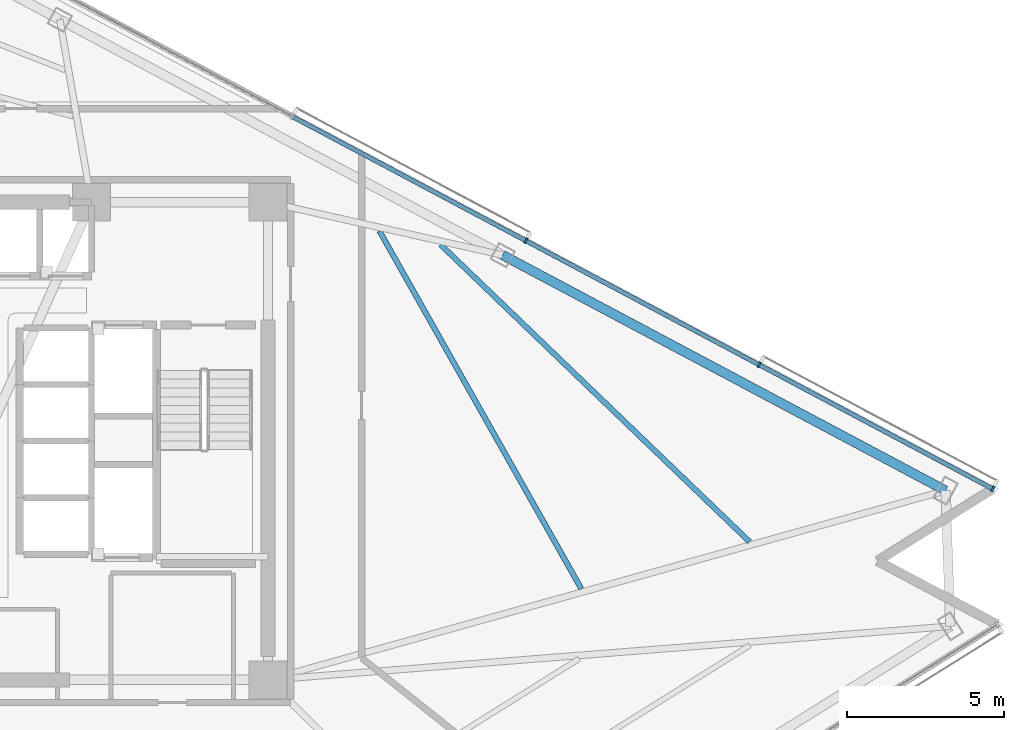
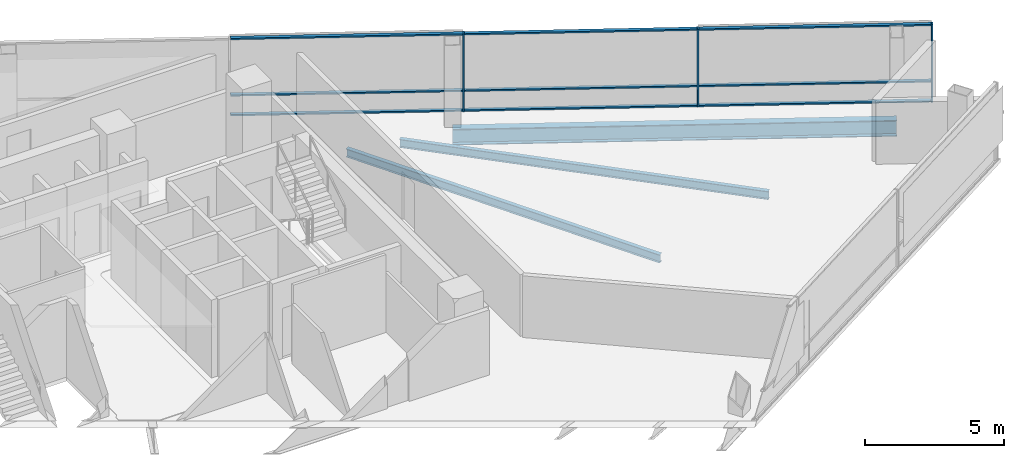
# One storey, part 10 of 18: 12 members, 3 beams, 1 element without a shape of its own.
"""IFC4 building model written with IfcOpenShell, lengths in metres."""

import ifcopenshell
import ifcopenshell.guid

model = None  # the IFC model being written
_history = None  # IfcOwnerHistory: only IFC2X3 demands one
_inside = {}  # id of a spatial element -> (the spatial element, [elements in it])
_under = {}  # id of a project, library or spatial element -> (it, [spatial elements below it])
_declared = {}  # id of a project -> (the project, [libraries it declares])
_typed = {}  # id of a type object -> (the type object, [elements of that type])
_made_of = {}  # id of a material, layer set ... -> (it, [elements and type objects made of it])


def new_model(schema):
    """Start an empty IFC model of exactly this schema.

    Asked for "IFC4X3", IfcOpenShell would pick the latest addendum, in which some entities
    have other attributes; the version numbers below select the first issue.
    IFC2X3 requires an IfcOwnerHistory on every rooted entity: one is made here for all.
    """
    global model, _history
    if schema == "IFC4X3":
        model = ifcopenshell.file(schema_version=(4, 3, 0, 0))
    else:
        model = ifcopenshell.file(schema=schema)
    _inside.clear()
    _under.clear()
    _declared.clear()
    _typed.clear()
    _made_of.clear()
    _history = None
    if model.schema == "IFC2X3":
        org = make("IfcOrganization", Name="unknown")
        user = make(
            "IfcPersonAndOrganization",
            ThePerson=make("IfcPerson", FamilyName="unknown"),
            TheOrganization=org,
        )
        app = make(
            "IfcApplication",
            ApplicationDeveloper=org,
            Version="unknown",
            ApplicationFullName="unknown",
            ApplicationIdentifier="unknown",
        )
        _history = make(
            "IfcOwnerHistory",
            OwningUser=user,
            OwningApplication=app,
            ChangeAction="ADDED",
            CreationDate=0,
        )
    return model


def make(cls, **values):
    """One entity of the class cls with the attributes given. An attribute that is None is left unset."""
    return model.create_entity(
        cls, **{name: value for name, value in values.items() if value is not None}
    )


def rooted(cls, **values):
    """An entity with a GlobalId (a new one), such as an element, a storey or a relation."""
    return make(cls, GlobalId=ifcopenshell.guid.new(), OwnerHistory=_history, **values)


def si_unit(unit_type, name, prefix=None):
    """IfcSIUnit, for example si_unit("LENGTHUNIT", "METRE", prefix="MILLI")."""
    return make("IfcSIUnit", UnitType=unit_type, Prefix=prefix, Name=name)


def assignment(units):
    """IfcUnitAssignment: the units of a project."""
    return None if units is None else make("IfcUnitAssignment", Units=units)


def point(xyz):
    """IfcCartesianPoint."""
    return None if xyz is None else make("IfcCartesianPoint", Coordinates=xyz)


def direction(xyz):
    """IfcDirection."""
    return None if xyz is None else make("IfcDirection", DirectionRatios=xyz)


def frame(location, z_axis=None, x_axis=None):
    """IfcAxis2Placement3D, a coordinate frame: its origin and axes. An axis left out is left unset."""
    return make(
        "IfcAxis2Placement3D",
        Location=point(location),
        Axis=direction(z_axis),
        RefDirection=direction(x_axis),
    )


def frame_2d(location, x_axis=None):
    """IfcAxis2Placement2D, a coordinate frame in the plane: its origin and x axis."""
    return make(
        "IfcAxis2Placement2D", Location=point(location), RefDirection=direction(x_axis)
    )


def origin():
    """The frame at (0, 0, 0) with its axes left unset."""
    return frame((0.0, 0.0, 0.0))


def origin_2d():
    """The frame at (0, 0) in the plane with its x axis left unset."""
    return frame_2d((0.0, 0.0))


def place(relative_to, where):
    """IfcLocalPlacement: puts the frame where relative to a parent placement (None: the world)."""
    return make(
        "IfcLocalPlacement", PlacementRelTo=relative_to, RelativePlacement=where
    )


def context(
    kind, dimensions, precision=None, world=None, true_north=None, identifier=None
):
    """IfcGeometricRepresentationContext, for example the 3D "Model" context."""
    return make(
        "IfcGeometricRepresentationContext",
        ContextIdentifier=identifier,
        ContextType=kind,
        CoordinateSpaceDimension=dimensions,
        Precision=precision,
        WorldCoordinateSystem=world,
        TrueNorth=true_north,
    )


def subcontext(parent, identifier, kind, view, scale=None):
    """IfcGeometricRepresentationSubContext, for example "Body" below "Model"."""
    return make(
        "IfcGeometricRepresentationSubContext",
        ContextIdentifier=identifier,
        ContextType=kind,
        ParentContext=parent,
        TargetScale=scale,
        TargetView=view,
    )


def project(units=None, contexts=None):
    """IfcProject with its units and contexts."""
    return rooted(
        "IfcProject",
        Name="project",
        RepresentationContexts=contexts,
        UnitsInContext=assignment(units),
    )


def spatial(cls, under=None, at=None, **own):
    """A site, building, storey or space (cls), placed at a placement, below another one or the project."""
    s = rooted(cls, ObjectPlacement=at, **own)
    if under is not None:
        _under.setdefault(under.id(), (under, []))[1].append(s)
    return s


def profile(cls, at=None, kind="AREA", **sizes):
    """A parametric profile (cls). Its sizes go by their IFC names, for example OverallWidth=200.0."""
    return make(cls, ProfileType=kind, Position=at, **sizes)


def rectangle(**sizes):
    """IfcRectangleProfileDef."""
    return profile("IfcRectangleProfileDef", **sizes)


def i_section(**sizes):
    """IfcIShapeProfileDef."""
    return profile("IfcIShapeProfileDef", **sizes)


def extrude(swept, where, along, depth):
    """IfcExtrudedAreaSolid: the profile swept, set in the frame where, extruded along a direction by depth."""
    return make(
        "IfcExtrudedAreaSolid",
        SweptArea=swept,
        Position=where,
        ExtrudedDirection=direction(along),
        Depth=depth,
    )


def shape(context_of_items, identifier, shape_type, items):
    """IfcShapeRepresentation: the items that make up one representation, for example the "Body"."""
    return make(
        "IfcShapeRepresentation",
        ContextOfItems=context_of_items,
        RepresentationIdentifier=identifier,
        RepresentationType=shape_type,
        Items=items,
    )


def material(Name=None, Category=None):
    """IfcMaterial."""
    return make("IfcMaterial", Name=Name, Category=Category)


def layer(
    of_material, thickness, ventilated=None, Name=None, Category=None, Priority=None
):
    """IfcMaterialLayer: one layer of a wall or slab, of a material (None: an air gap)."""
    return make(
        "IfcMaterialLayer",
        Material=of_material,
        LayerThickness=thickness,
        IsVentilated=ventilated,
        Name=Name,
        Category=Category,
        Priority=Priority,
    )


def layer_set(layers, Name=None):
    """IfcMaterialLayerSet."""
    return make("IfcMaterialLayerSet", MaterialLayers=layers, LayerSetName=Name)


def material_profile(
    of_material, cross_section, Name=None, Category=None, Priority=None
):
    """IfcMaterialProfile: a cross section and its material."""
    return make(
        "IfcMaterialProfile",
        Name=Name,
        Material=of_material,
        Profile=cross_section,
        Priority=Priority,
        Category=Category,
    )


def profile_set(profiles, Name=None, composite=None):
    """IfcMaterialProfileSet."""
    return make(
        "IfcMaterialProfileSet",
        Name=Name,
        MaterialProfiles=profiles,
        CompositeProfile=composite,
    )


def made_of(thing, what):
    """Note that an element or type object is made of a material, layer set ...; save() writes the relation."""
    if what is not None:
        _made_of.setdefault(what.id(), (what, []))[1].append(thing)
    return thing


def type_object(cls, material=None, **own):
    """A type object (cls), such as IfcWallType, which elements share."""
    return made_of(rooted(cls, **own), material)


def element(
    cls,
    number,
    at=None,
    inside=None,
    cuts=None,
    type_object=None,
    material=None,
    context=None,
    identifier="Body",
    shape_type=None,
    held_by="IfcProductDefinitionShape",
    body=None,
    shapes=None,
    **own,
):
    """One element of the class cls, such as IfcWall. Its Tag is "e" and its number.

    at: its placement. inside: the storey or other place that contains it. cuts: it is an
    opening in that element (IfcRelVoidsElement). A single representation is given by context,
    identifier, shape_type and body (its items); several are given by shapes. held_by: the class
    of the entity that holds the representations. save() writes the other relations.
    """
    e = rooted(cls, Tag="e%d" % number, ObjectPlacement=at, **own)
    if body is not None:
        shapes = [shape(context, identifier, shape_type, body)]
    if shapes is not None:
        e.Representation = make(held_by, Representations=shapes)
    if inside is not None:
        _inside.setdefault(inside.id(), (inside, []))[1].append(e)
    if cuts is not None:
        rooted(
            "IfcRelVoidsElement", RelatingBuildingElement=cuts, RelatedOpeningElement=e
        )
    if type_object is not None:
        _typed.setdefault(type_object.id(), (type_object, []))[1].append(e)
    return made_of(e, material)


def aggregate(whole, parts):
    """IfcRelAggregates: a whole, such as a stair, and the parts it consists of."""
    return rooted("IfcRelAggregates", RelatingObject=whole, RelatedObjects=parts)


def save(model, path):
    """Write the relations noted so far, then the file.

    IfcRelAggregates (storeys below a building ...), IfcRelContainedInSpatialStructure (elements
    in a storey), IfcRelDefinesByType, IfcRelAssociatesMaterial and IfcRelDeclares: one each for
    every whole, place, type object, material and project.
    """
    for whole, parts in _under.values():
        aggregate(whole, parts)
    for where, things in _inside.values():
        rooted(
            "IfcRelContainedInSpatialStructure",
            RelatedElements=things,
            RelatingStructure=where,
        )
    for kind, things in _typed.values():
        rooted("IfcRelDefinesByType", RelatedObjects=things, RelatingType=kind)
    for what, things in _made_of.values():
        rooted("IfcRelAssociatesMaterial", RelatedObjects=things, RelatingMaterial=what)
    for by, libraries in _declared.values():
        rooted("IfcRelDeclares", RelatingContext=by, RelatedDefinitions=libraries)
    model.write(path)


model = new_model("IFC4")

# Units and contexts
model_context = context("Model", 3, precision=1e-05, world=origin(), true_north=direction((0.0, 1.0)))
body_context = subcontext(model_context, "Body", "Model", "MODEL_VIEW")
ifc_project = project(units=[si_unit("LENGTHUNIT", "METRE"), si_unit("AREAUNIT", "SQUARE_METRE"), si_unit("VOLUMEUNIT", "CUBIC_METRE"), si_unit("PLANEANGLEUNIT", "RADIAN"), si_unit("MASSUNIT", "GRAM", prefix="KILO")], contexts=[model_context])

# Site, building, storey
site_placement = place(None, origin())
site = spatial("IfcSite", under=ifc_project, at=site_placement, CompositionType="ELEMENT")
building_placement = place(site_placement, origin())
building = spatial("IfcBuilding", under=site, at=building_placement, Name="Tharavind Bronze Gate", CompositionType="ELEMENT")
storey_placement = place(building_placement, frame((0.0, 0.0, 153.199951171875)))
storey = spatial("IfcBuildingStorey", under=building, at=storey_placement, Name="L39", CompositionType="ELEMENT", Elevation=153.199951171875)

# Curtain wall, members
ifc_material_1 = material(Name="Anodised Bronze Aluminium", Category="aluminium")
ifc_layer = layer(ifc_material_1, 0.219970703125)
ifc_layer_set = layer_set([ifc_layer], Name="Anodised Bronze Aluminium")
curtain_wall_type = type_object("IfcCurtainWallType", Name="UNITISED CURTAIN WALL MID OFFICE", PredefinedType="USERDEFINED", material=ifc_layer_set)
curtain_wall_placement = place(storey_placement, origin())
curtain_wall = element("IfcCurtainWall", 1, at=curtain_wall_placement, inside=storey, type_object=curtain_wall_type, Name="L39 unitised curtain wall mid office CW-L39-S3", ObjectType="UNITISED CURTAIN WALL", PredefinedType="USERDEFINED")
member_type_1 = type_object("IfcMemberType", Name="CURTAIN WALL BRONZE MULLION 65X180", PredefinedType="MULLION", material=ifc_material_1)
member_1_placement = place(storey_placement, frame((31.9638671875, -1.5224609375, 0.0), z_axis=(0.0, 0.0, 1.0), x_axis=(-0.882947592859, 0.469471562786, 0.0)))
member_1 = element("IfcMember", 2, at=member_1_placement, type_object=member_type_1, Name="CW-L39-S3 mullion 1", PredefinedType="MULLION", context=body_context, shape_type="SweptSolid", body=[
    extrude(rectangle(XDim=0.06494140625, YDim=0.179931640625, at=origin_2d()), origin(), (0.0, 0.0, 1.0), 3.409912109375),
])
member_2_placement = place(storey_placement, frame((24.5341796875, 2.427978515625, 0.0), z_axis=(0.0, 0.0, 1.0), x_axis=(-0.882947592859, 0.469471562786, 0.0)))
member_2 = element("IfcMember", 3, at=member_2_placement, type_object=member_type_1, Name="CW-L39-S3 mullion 2", PredefinedType="MULLION", context=body_context, shape_type="SweptSolid", body=[
    extrude(rectangle(XDim=0.06494140625, YDim=0.179931640625, at=origin_2d()), origin(), (0.0, 0.0, 1.0), 3.409912109375),
])
member_3_placement = place(storey_placement, frame((17.1044921875, 6.37841796875, 0.0), z_axis=(0.0, 0.0, 1.0), x_axis=(-0.882947592859, 0.469471562786, 0.0)))
member_3 = element("IfcMember", 4, at=member_3_placement, type_object=member_type_1, Name="CW-L39-S3 mullion 3", PredefinedType="MULLION", context=body_context, shape_type="SweptSolid", body=[
    extrude(rectangle(XDim=0.06494140625, YDim=0.179931640625, at=origin_2d()), origin(), (0.0, 0.0, 1.0), 3.409912109375),
])
member_type_2 = type_object("IfcMemberType", Name="CURTAIN WALL BRONZE TRANSOM 65X140", PredefinedType="USERDEFINED", material=ifc_material_1)
member_4_placement = place(storey_placement, frame((28.2490234375, 0.45263671875, 0.0), z_axis=(0.0, 0.0, 1.0), x_axis=(-0.882947592859, 0.469471562786, 0.0)))
member_4 = element("IfcMember", 5, at=member_4_placement, type_object=member_type_2, Name="CW-L39-S3 transom TB1", ObjectType="TRANSOM", PredefinedType="USERDEFINED", context=body_context, shape_type="SweptSolid", body=[
    extrude(rectangle(XDim=8.361572265625, YDim=0.139892578125, at=origin_2d()), origin(), (0.0, 0.0, 1.0), 0.06494140625),
])
member_5_placement = place(storey_placement, frame((28.2490234375, 0.45263671875, 0.86767578125), z_axis=(0.0, 0.0, 1.0), x_axis=(-0.882947592859, 0.469471562786, 0.0)))
member_5 = element("IfcMember", 6, at=member_5_placement, type_object=member_type_2, Name="CW-L39-S3 transom TS1", ObjectType="TRANSOM", PredefinedType="USERDEFINED", context=body_context, shape_type="SweptSolid", body=[
    extrude(rectangle(XDim=8.361572265625, YDim=0.139892578125, at=origin_2d()), origin(), (0.0, 0.0, 1.0), 0.06494140625),
])
member_6_placement = place(storey_placement, frame((28.2490234375, 0.45263671875, 3.344970703125), z_axis=(0.0, 0.0, 1.0), x_axis=(-0.882947592859, 0.469471562786, 0.0)))
member_6 = element("IfcMember", 7, at=member_6_placement, type_object=member_type_2, Name="CW-L39-S3 transom TT1", ObjectType="TRANSOM", PredefinedType="USERDEFINED", context=body_context, shape_type="SweptSolid", body=[
    extrude(rectangle(XDim=8.361572265625, YDim=0.139892578125, at=origin_2d()), origin(), (0.0, 0.0, 1.0), 0.06494140625),
])
member_7_placement = place(storey_placement, frame((20.8193359375, 4.403076171875, 0.0), z_axis=(0.0, 0.0, 1.0), x_axis=(-0.882947592859, 0.469471562786, 0.0)))
member_7 = element("IfcMember", 8, at=member_7_placement, type_object=member_type_2, Name="CW-L39-S3 transom TB2", ObjectType="TRANSOM", PredefinedType="USERDEFINED", context=body_context, shape_type="SweptSolid", body=[
    extrude(rectangle(XDim=8.361572265625, YDim=0.139892578125, at=origin_2d()), origin(), (0.0, 0.0, 1.0), 0.06494140625),
])
member_8_placement = place(storey_placement, frame((20.8193359375, 4.403076171875, 0.86767578125), z_axis=(0.0, 0.0, 1.0), x_axis=(-0.882947592859, 0.469471562786, 0.0)))
member_8 = element("IfcMember", 9, at=member_8_placement, type_object=member_type_2, Name="CW-L39-S3 transom TS2", ObjectType="TRANSOM", PredefinedType="USERDEFINED", context=body_context, shape_type="SweptSolid", body=[
    extrude(rectangle(XDim=8.361572265625, YDim=0.139892578125, at=origin_2d()), origin(), (0.0, 0.0, 1.0), 0.06494140625),
])
member_9_placement = place(storey_placement, frame((20.8193359375, 4.403076171875, 3.344970703125), z_axis=(0.0, 0.0, 1.0), x_axis=(-0.882947592859, 0.469471562786, 0.0)))
member_9 = element("IfcMember", 10, at=member_9_placement, type_object=member_type_2, Name="CW-L39-S3 transom TT2", ObjectType="TRANSOM", PredefinedType="USERDEFINED", context=body_context, shape_type="SweptSolid", body=[
    extrude(rectangle(XDim=8.361572265625, YDim=0.139892578125, at=origin_2d()), origin(), (0.0, 0.0, 1.0), 0.06494140625),
])
member_10_placement = place(storey_placement, frame((13.389892578125, 8.353515625, 0.0), z_axis=(0.0, 0.0, 1.0), x_axis=(-0.882947592859, 0.469471562786, 0.0)))
member_10 = element("IfcMember", 11, at=member_10_placement, type_object=member_type_2, Name="CW-L39-S3 transom TB3", ObjectType="TRANSOM", PredefinedType="USERDEFINED", context=body_context, shape_type="SweptSolid", body=[
    extrude(rectangle(XDim=8.361572265625, YDim=0.139892578125, at=origin_2d()), origin(), (0.0, 0.0, 1.0), 0.06494140625),
])
member_11_placement = place(storey_placement, frame((13.389892578125, 8.353515625, 0.86767578125), z_axis=(0.0, 0.0, 1.0), x_axis=(-0.882947592859, 0.469471562786, 0.0)))
member_11 = element("IfcMember", 12, at=member_11_placement, type_object=member_type_2, Name="CW-L39-S3 transom TS3", ObjectType="TRANSOM", PredefinedType="USERDEFINED", context=body_context, shape_type="SweptSolid", body=[
    extrude(rectangle(XDim=8.361572265625, YDim=0.139892578125, at=origin_2d()), origin(), (0.0, 0.0, 1.0), 0.06494140625),
])
member_12_placement = place(storey_placement, frame((13.389892578125, 8.353515625, 3.344970703125), z_axis=(0.0, 0.0, 1.0), x_axis=(-0.882947592859, 0.469471562786, 0.0)))
member_12 = element("IfcMember", 13, at=member_12_placement, type_object=member_type_2, Name="CW-L39-S3 transom TT3", ObjectType="TRANSOM", PredefinedType="USERDEFINED", context=body_context, shape_type="SweptSolid", body=[
    extrude(rectangle(XDim=8.361572265625, YDim=0.139892578125, at=origin_2d()), origin(), (0.0, 0.0, 1.0), 0.06494140625),
])
aggregate(curtain_wall, [member_1, member_2, member_3, member_4, member_5, member_6, member_7, member_8, member_9, member_10, member_11, member_12])

# Beams
ifc_material_2 = material(Name="Steel S355", Category="steel")
ifc_material_profile_1 = material_profile(ifc_material_2, i_section(OverallWidth=0.300048828125, OverallDepth=0.699951171875, WebThickness=0.01708984375, FlangeThickness=0.031982421875, at=origin_2d()), Name="HE700B")
ifc_profile_set_1 = profile_set([ifc_material_profile_1], Name="Steel S355")
beam_type_1 = type_object("IfcBeamType", Name="RING GIRDER HE700B", PredefinedType="USERDEFINED", material=ifc_profile_set_1)
beam_1_placement = place(storey_placement, frame((30.46484375, -1.57470703125, -0.5400390625), z_axis=(-0.882951706672, 0.469463825747, 0.0), x_axis=(-0.469463825747, -0.882951706672, 0.0)))
element("IfcBeam", 14, at=beam_1_placement, inside=storey, type_object=beam_type_1, Name="L39 ring girder he700b BM-L39-PRG09", ObjectType="GIRDER", PredefinedType="USERDEFINED", context=body_context, shape_type="SweptSolid", body=[
    extrude(i_section(OverallWidth=0.300048828125, OverallDepth=0.699951171875, WebThickness=0.01708984375, FlangeThickness=0.031982421875, at=origin_2d()), origin(), (0.0, 0.0, 1.0), 15.963134765625),
])
ifc_material_profile_2 = material_profile(ifc_material_2, i_section(OverallWidth=0.169921875, OverallDepth=0.360107421875, WebThickness=0.008056640625, FlangeThickness=0.0126953125, at=origin_2d()), Name="IPE360")
ifc_profile_set_2 = profile_set([ifc_material_profile_2], Name="Steel S355")
beam_type_2 = type_object("IfcBeamType", Name="SECONDARY FLOOR JOIST IPE360", PredefinedType="JOIST", material=ifc_profile_set_2)
beam_2_placement = place(storey_placement, frame((18.87255859375, -4.70068359375, -0.369873046875), z_axis=(-0.491359669612, 0.870956758444, 0.0), x_axis=(-0.870956758444, -0.491359669612, 0.0)))
element("IfcBeam", 15, at=beam_2_placement, inside=storey, type_object=beam_type_2, Name="L39 secondary floor joist ipe360 BM-L39-JSTA09", PredefinedType="JOIST", context=body_context, shape_type="SweptSolid", body=[
    extrude(i_section(OverallWidth=0.169921875, OverallDepth=0.360107421875, WebThickness=0.008056640625, FlangeThickness=0.0126953125, at=origin_2d()), origin(), (0.0, 0.0, 1.0), 13.08056640625),
])
beam_3_placement = place(storey_placement, frame((24.22802734375, -3.20458984375, -0.369873046875), z_axis=(-0.720825502564, 0.693116580997, 0.0), x_axis=(-0.693116580997, -0.720825502564, 0.0)))
element("IfcBeam", 16, at=beam_3_placement, inside=storey, type_object=beam_type_2, Name="L39 secondary floor joist ipe360 BM-L39-JSTB09", PredefinedType="JOIST", context=body_context, shape_type="SweptSolid", body=[
    extrude(i_section(OverallWidth=0.169921875, OverallDepth=0.360107421875, WebThickness=0.008056640625, FlangeThickness=0.0126953125, at=origin_2d()), origin(), (0.0, 0.0, 1.0), 13.648193359375),
])

save(model, "model.ifc")
